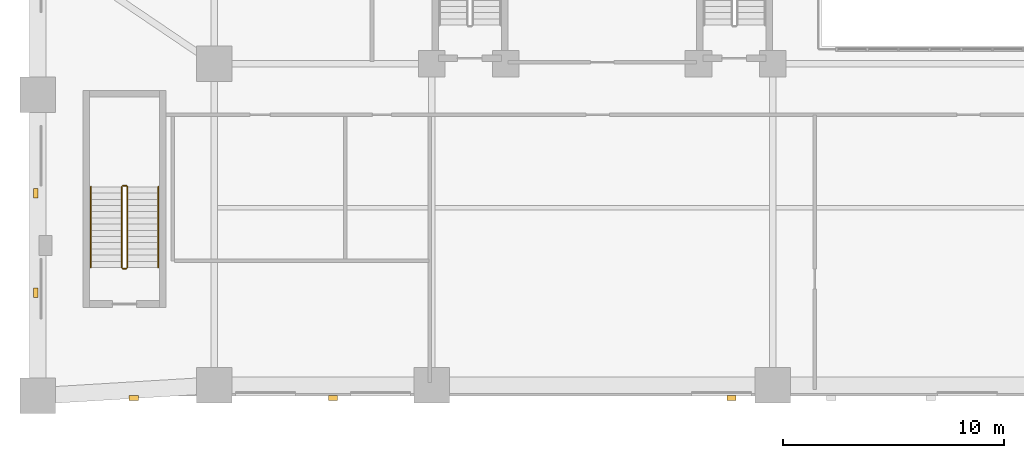
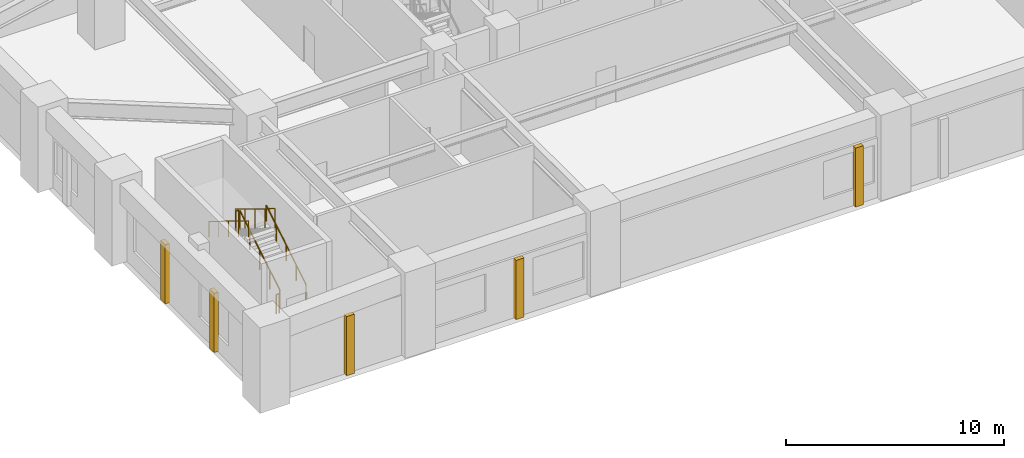
# One storey, part 10 of 13: 6 railings, 5 coverings.
"""IFC4 building model written with IfcOpenShell, lengths in metres."""

from ifc_helpers import new_model, si_unit, derived_unit, direction, frame, origin, origin_2d, place, context, subcontext, project, spatial, rectangle, circle, extrude, material, layer, layer_set, type_object, element, save


model = new_model("IFC4")

# Units and contexts
model_context = context("Model", 3, precision=1e-05, world=origin(), true_north=direction((0.0, 1.0)))
body_context = subcontext(model_context, "Body", "Model", "MODEL_VIEW")
ifc_project = project(units=[si_unit("LENGTHUNIT", "METRE"), si_unit("AREAUNIT", "SQUARE_METRE"), si_unit("VOLUMEUNIT", "CUBIC_METRE"), si_unit("PLANEANGLEUNIT", "RADIAN"), si_unit("MASSUNIT", "GRAM", prefix="KILO"), derived_unit("THERMALTRANSMITTANCEUNIT", [(si_unit("MASSUNIT", "GRAM", prefix="KILO"), 1), (si_unit("TIMEUNIT", "SECOND"), -3), (si_unit("THERMODYNAMICTEMPERATUREUNIT", "KELVIN"), -1)])], contexts=[model_context])

# Site, building, storey
site_placement = place(None, origin())
site = spatial("IfcSite", under=ifc_project, at=site_placement, CompositionType="ELEMENT")
building_placement = place(site_placement, origin())
building = spatial("IfcBuilding", under=site, at=building_placement, Name="Korrvale Station Residences", CompositionType="ELEMENT")
storey_placement = place(building_placement, frame((0.0, 0.0, 11.199951171875)))
storey = spatial("IfcBuildingStorey", under=building, at=storey_placement, Name="L02", CompositionType="ELEMENT", Elevation=11.199951171875)

# Coverings
ifc_material_1 = material(Name="Architectural precast concrete C45/55", Category="concrete")
ifc_layer = layer(ifc_material_1, 0.219970703125, Name="Architectural precast concrete C45/55")
ifc_layer_set = layer_set([ifc_layer], Name="Architectural precast concrete C45/55")
covering_type = type_object("IfcCoveringType", Name="COV-PIER-400", PredefinedType="CLADDING", material=ifc_layer_set)
for number, where, z_axis, x_axis, name in (
    (1, (31.340087890625, -0.090087890625, 0.025146484375), (0.0, 0.0, 1.0), (1.0, 0.0, 0.0), "L02 Architectural Precast Facade Pier 04"),
    (2, (13.340087890625, -0.090087890625, 0.025146484375), (0.0, 0.0, 1.0), (1.0, 0.0, 0.0), "L02 Architectural Precast Facade Pier 05"),
    (3, (4.340087890625, -0.090087890625, 0.025146484375), (0.0, 0.0, 1.0), (1.0, 0.0, 0.0), "L02 Architectural Precast Facade Pier 06"),
    (4, (-0.090087890625, 4.659912109375, 0.025146484375), (0.0, 0.0, 1.0), (0.0, 1.0, 0.0), "L02 Architectural Precast Facade Pier 13"),
    (5, (-0.090087890625, 9.159912109375, 0.025146484375), (0.0, 0.0, 1.0), (0.0, 1.0, 0.0), "L02 Architectural Precast Facade Pier 14"),
):
    element("IfcCovering", number, at=place(storey_placement, frame(where, z_axis=z_axis, x_axis=x_axis)), inside=storey, type_object=covering_type, Name=name, PredefinedType="CLADDING", context=body_context, shape_type="SweptSolid", body=[
        extrude(rectangle(XDim=0.419921875, YDim=0.219970703125, at=origin_2d()), origin(), (0.0, 0.0, 1.0), 3.31494140625),
    ])

# Railings
ifc_material_2 = material(Name="Brushed stainless-steel continuous stair handrail", Category="steel")
railing_type_1 = type_object("IfcRailingType", Name="RLG-SHND-900", PredefinedType="HANDRAIL", material=ifc_material_2)
railing_1_placement = place(storey_placement, frame((5.449951171875, 5.800048828125, 0.17138671875)))
element("IfcRailing", 6, at=railing_1_placement, inside=storey, type_object=railing_type_1, Name="L02 ST-3 stair handrail 1", PredefinedType="HANDRAIL", context=body_context, shape_type="SweptSolid", body=[
    extrude(circle(Radius=0.02392578125, at=origin_2d()), frame((0.0, 0.0, 0.8759765625), z_axis=(0.0, 0.852824790078, 0.522197163366), x_axis=(-1.0, 0.0, 0.0)), (0.0, 0.0, 1.0), 4.26806640625),
    extrude(circle(Radius=0.02099609375, at=origin_2d()), origin(), (0.0, 0.0, 1.0), 0.851806640625),
    extrude(circle(Radius=0.02099609375, at=origin_2d()), frame((0.0, 0.909912109375, 0.55712890625)), (0.0, 0.0, 1.0), 0.851806640625),
    extrude(circle(Radius=0.02099609375, at=origin_2d()), frame((0.0, 1.81982421875, 1.1142578125)), (0.0, 0.0, 1.0), 0.851806640625),
    extrude(circle(Radius=0.02099609375, at=origin_2d()), frame((0.0, 2.72998046875, 1.671630859375)), (0.0, 0.0, 1.0), 0.851806640625),
    extrude(circle(Radius=0.02099609375, at=origin_2d()), frame((0.0, 3.639892578125, 2.228759765625)), (0.0, 0.0, 1.0), 0.851806640625),
])
railing_2_placement = place(storey_placement, frame((2.39990234375, 9.43994140625, 2.571533203125)))
element("IfcRailing", 7, at=railing_2_placement, inside=storey, type_object=railing_type_1, Name="L02 ST-3 stair handrail 2", PredefinedType="HANDRAIL", context=body_context, shape_type="SweptSolid", body=[
    extrude(circle(Radius=0.02392578125, at=origin_2d()), frame((0.0, 0.0, 0.8759765625), z_axis=(0.0, -0.852850264322, 0.5221555579), x_axis=(1.0, 0.0, 0.0)), (0.0, 0.0, 1.0), 4.267822265625),
    extrude(circle(Radius=0.02099609375, at=origin_2d()), origin(), (0.0, 0.0, 1.0), 0.851806640625),
    extrude(circle(Radius=0.02099609375, at=origin_2d()), frame((0.0, -0.909912109375, 0.55712890625)), (0.0, 0.0, 1.0), 0.851806640625),
    extrude(circle(Radius=0.02099609375, at=origin_2d()), frame((0.0, -1.81982421875, 1.1142578125)), (0.0, 0.0, 1.0), 0.851806640625),
    extrude(circle(Radius=0.02099609375, at=origin_2d()), frame((0.0, -2.72998046875, 1.67138671875)), (0.0, 0.0, 1.0), 0.851806640625),
    extrude(circle(Radius=0.02099609375, at=origin_2d()), frame((0.0, -3.639892578125, 2.228515625)), (0.0, 0.0, 1.0), 0.851806640625),
])
ifc_material_3 = material(Name="Galvanised painted tubular steel stair guard", Category="steel")
railing_type_2 = type_object("IfcRailingType", Name="RLG-STR-1100", PredefinedType="GUARDRAIL", material=ifc_material_3)
railing_3_placement = place(storey_placement, frame((4.050048828125, 5.800048828125, 0.17138671875)))
element("IfcRailing", 8, at=railing_3_placement, inside=storey, type_object=railing_type_2, Name="L02 ST-3 stair guard 1", PredefinedType="GUARDRAIL", context=body_context, shape_type="SweptSolid", body=[
    extrude(circle(Radius=0.02392578125, at=origin_2d()), frame((0.0, 0.0, 1.076171875), z_axis=(0.0, 0.852824790078, 0.522197163366), x_axis=(-1.0, 0.0, 0.0)), (0.0, 0.0, 1.0), 4.26806640625),
    extrude(circle(Radius=0.02099609375, at=origin_2d()), origin(), (0.0, 0.0, 1.0), 1.052001953125),
    extrude(circle(Radius=0.02099609375, at=origin_2d()), frame((0.0, 0.909912109375, 0.55712890625)), (0.0, 0.0, 1.0), 1.052001953125),
    extrude(circle(Radius=0.02099609375, at=origin_2d()), frame((0.0, 1.81982421875, 1.1142578125)), (0.0, 0.0, 1.0), 1.052001953125),
    extrude(circle(Radius=0.02099609375, at=origin_2d()), frame((0.0, 2.72998046875, 1.671630859375)), (0.0, 0.0, 1.0), 1.052001953125),
    extrude(circle(Radius=0.02099609375, at=origin_2d()), frame((0.0, 3.639892578125, 2.228759765625)), (0.0, 0.0, 1.0), 1.052001953125),
])
railing_4_placement = place(storey_placement, frame((4.0, 9.489990234375, 2.400146484375)))
element("IfcRailing", 9, at=railing_4_placement, inside=storey, type_object=railing_type_2, Name="L02 ST-3 stair guard 2", PredefinedType="GUARDRAIL", context=body_context, shape_type="SweptSolid", body=[
    extrude(circle(Radius=0.02392578125, at=origin_2d()), frame((0.0, 0.0, 1.076171875), z_axis=(-1.0, 0.0, 0.0), x_axis=(0.0, -1.0, 0.0)), (0.0, 0.0, 1.0), 0.14990234375),
    extrude(circle(Radius=0.02099609375, at=origin_2d()), origin(), (0.0, 0.0, 1.0), 1.052001953125),
    extrude(circle(Radius=0.02099609375, at=origin_2d()), frame((-0.14990234375, 0.0, 0.0)), (0.0, 0.0, 1.0), 1.052001953125),
])
railing_5_placement = place(storey_placement, frame((3.800048828125, 9.43994140625, 2.571533203125)))
element("IfcRailing", 10, at=railing_5_placement, inside=storey, type_object=railing_type_2, Name="L02 ST-3 stair guard 3", PredefinedType="GUARDRAIL", context=body_context, shape_type="SweptSolid", body=[
    extrude(circle(Radius=0.02392578125, at=origin_2d()), frame((0.0, 0.0, 1.076171875), z_axis=(0.0, -0.852850264322, 0.5221555579), x_axis=(1.0, 0.0, 0.0)), (0.0, 0.0, 1.0), 4.267822265625),
    extrude(circle(Radius=0.02099609375, at=origin_2d()), origin(), (0.0, 0.0, 1.0), 1.052001953125),
    extrude(circle(Radius=0.02099609375, at=origin_2d()), frame((0.0, -0.909912109375, 0.55712890625)), (0.0, 0.0, 1.0), 1.052001953125),
    extrude(circle(Radius=0.02099609375, at=origin_2d()), frame((0.0, -1.81982421875, 1.1142578125)), (0.0, 0.0, 1.0), 1.052001953125),
    extrude(circle(Radius=0.02099609375, at=origin_2d()), frame((0.0, -2.72998046875, 1.67138671875)), (0.0, 0.0, 1.0), 1.052001953125),
    extrude(circle(Radius=0.02099609375, at=origin_2d()), frame((0.0, -3.639892578125, 2.228515625)), (0.0, 0.0, 1.0), 1.052001953125),
])
railing_6_placement = place(storey_placement, frame((4.0, 5.75, 0.0)))
element("IfcRailing", 11, at=railing_6_placement, inside=storey, type_object=railing_type_2, Name="L02 ST-3 stair guard 4", PredefinedType="GUARDRAIL", context=body_context, shape_type="SweptSolid", body=[
    extrude(circle(Radius=0.02392578125, at=origin_2d()), frame((0.0, 0.0, 1.076171875), z_axis=(-1.0, 0.0, 0.0), x_axis=(0.0, -1.0, 0.0)), (0.0, 0.0, 1.0), 0.14990234375),
    extrude(circle(Radius=0.02099609375, at=origin_2d()), origin(), (0.0, 0.0, 1.0), 1.052001953125),
    extrude(circle(Radius=0.02099609375, at=origin_2d()), frame((-0.14990234375, 0.0, 0.0)), (0.0, 0.0, 1.0), 1.052001953125),
])

save(model, "model.ifc")
